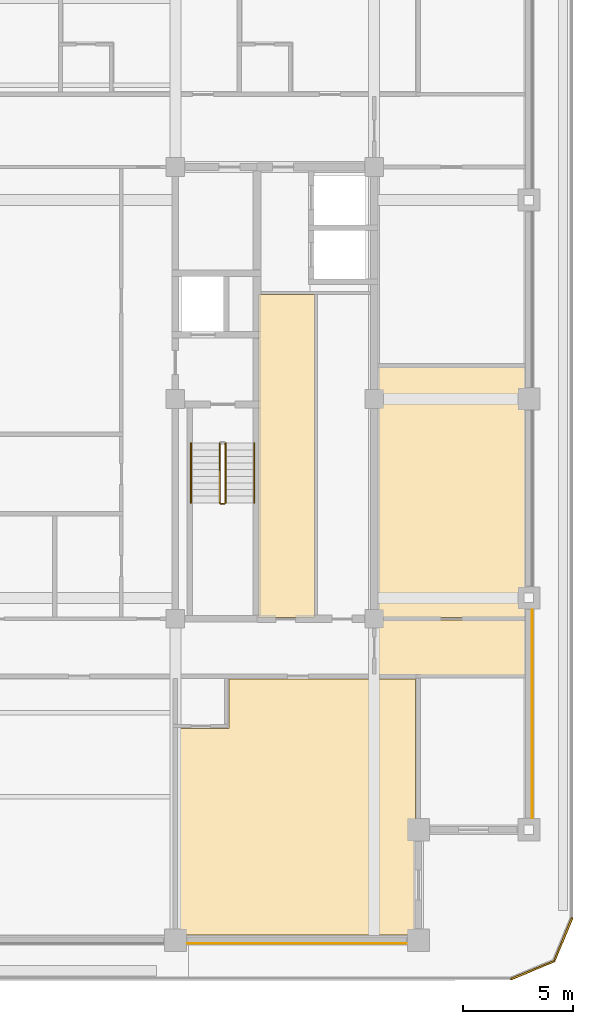
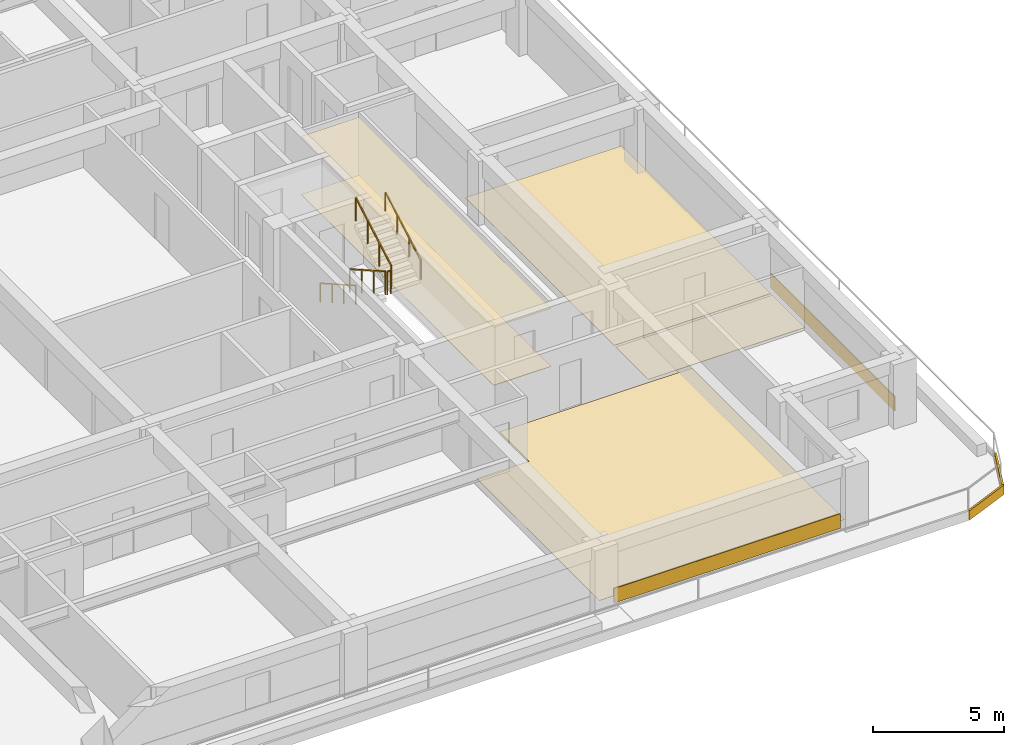
# One storey, part 11 of 13: 9 coverings, 5 railings.
"""IFC4 building model written with IfcOpenShell, lengths in metres."""

from ifc_helpers import new_model, si_unit, direction, frame, frame_2d, origin, origin_2d, place, context, subcontext, project, spatial, polyline, rectangle, outline, extrude, material, layer, layer_set, type_object, element, save


model = new_model("IFC4")

# Units and contexts
model_context = context("Model", 3, precision=1e-05, world=origin(), true_north=direction((0.0, 1.0)))
body_context = subcontext(model_context, "Body", "Model", "MODEL_VIEW")
ifc_project = project(units=[si_unit("LENGTHUNIT", "METRE"), si_unit("AREAUNIT", "SQUARE_METRE"), si_unit("VOLUMEUNIT", "CUBIC_METRE"), si_unit("PLANEANGLEUNIT", "RADIAN"), si_unit("MASSUNIT", "GRAM", prefix="KILO")], contexts=[model_context])

# Site, building, storey
site_placement = place(None, origin())
site = spatial("IfcSite", under=ifc_project, at=site_placement, CompositionType="ELEMENT")
building_placement = place(site_placement, origin())
building = spatial("IfcBuilding", under=site, at=building_placement, Name="Zulmaris Gate Convention Tower", CompositionType="ELEMENT")
storey_placement = place(building_placement, frame((0.0, 0.0, 183.059814453125)))
storey = spatial("IfcBuildingStorey", under=building, at=storey_placement, Name="L47", CompositionType="ELEMENT", Elevation=183.059814453125)

# Coverings
ifc_material_1 = material(Name="Precast concrete C40/50", Category="concrete")
ifc_layer_1 = layer(ifc_material_1, 0.0400390625, Name="Precast concrete C40/50")
ifc_layer_set_1 = layer_set([ifc_layer_1], Name="Precast concrete C40/50")
covering_type_1 = type_object("IfcCoveringType", Name="CLAD-SPANDREL-PRECAST", PredefinedType="CLADDING", material=ifc_layer_set_1)
covering_1_placement = place(storey_placement, frame((11.530029296875, -24.64990234375, 0.0), z_axis=(0.0, 0.0, 1.0), x_axis=(1.0, 0.0, 0.0)))
element("IfcCovering", 1, at=covering_1_placement, inside=storey, type_object=covering_type_1, Name="CLD-L47-S-3_0", PredefinedType="CLADDING", context=body_context, shape_type="SweptSolid", body=[
    extrude(rectangle(XDim=9.93994140625, YDim=0.0400390625, at=frame_2d((4.969970703125, 0.0))), origin(), (0.0, 0.0, 1.0), 0.679931640625),
])
covering_2_placement = place(storey_placement, frame((27.14990234375, -18.969970703125, 0.0), z_axis=(0.0, 0.0, 1.0), x_axis=(0.0, 1.0, 0.0)))
element("IfcCovering", 2, at=covering_2_placement, inside=storey, type_object=covering_type_1, Name="CLD-L47-E-0_0", PredefinedType="CLADDING", context=body_context, shape_type="SweptSolid", body=[
    extrude(rectangle(XDim=9.43994140625, YDim=0.0400390625, at=frame_2d((4.719970703125, 0.0))), origin(), (0.0, 0.0, 1.0), 0.679931640625),
])
ifc_material_2 = material(Name="White Glazed Architectural Precast Concrete C40/50", Category="concrete")
ifc_layer_2 = layer(ifc_material_2, 0.080078125, Name="White Glazed Architectural Precast Concrete C40/50")
ifc_layer_set_2 = layer_set([ifc_layer_2], Name="White Glazed Architectural Precast Concrete C40/50")
covering_type_2 = type_object("IfcCoveringType", Name="CLAD-TRAY-FASCIA", PredefinedType="CLADDING", material=ifc_layer_set_2)
covering_3_placement = place(storey_placement, frame((26.184814453125, -26.262939453125, -0.2900390625), z_axis=(0.0, 0.0, 1.0), x_axis=(0.923873803533, 0.382697263049, 0.0)))
element("IfcCovering", 3, at=covering_3_placement, inside=storey, type_object=covering_type_2, Name="FSC-L47-TR-03", PredefinedType="CLADDING", context=body_context, shape_type="SweptSolid", body=[
    extrude(rectangle(XDim=2.142822265625, YDim=0.080078125, at=frame_2d((1.0712890625, 0.0))), origin(), (0.0, 0.0, 1.0), 0.43994140625),
])
covering_4_placement = place(storey_placement, frame((28.142822265625, -25.464599609375, -0.2900390625), z_axis=(0.0, 0.0, 1.0), x_axis=(0.382656984709, 0.923890487046, 0.0)))
element("IfcCovering", 4, at=covering_4_placement, inside=storey, type_object=covering_type_2, Name="FSC-L47-TR-04", PredefinedType="CLADDING", context=body_context, shape_type="SweptSolid", body=[
    extrude(rectangle(XDim=2.14306640625, YDim=0.080078125, at=frame_2d((1.071533203125, 0.0))), origin(), (0.0, 0.0, 1.0), 0.43994140625),
])
ifc_material_3 = material(Name="Mineral Fibre Acoustic Ceiling Tile")
ifc_layer_3 = layer(ifc_material_3, 0.02001953125, Name="Mineral Fibre Acoustic Ceiling Tile")
ifc_layer_set_3 = layer_set([ifc_layer_3], Name="Mineral Fibre Acoustic Ceiling Tile")
covering_type_3 = type_object("IfcCoveringType", Name="CLG-ACOUSTIC-600", PredefinedType="CEILING", material=ifc_layer_set_3)
covering_5_placement = place(storey_placement, frame((0.0, 0.0, 2.695068359375)))
element("IfcCovering", 5, at=covering_5_placement, inside=storey, type_object=covering_type_3, Name="CLG-L47-R24", PredefinedType="CEILING", context=body_context, shape_type="SweptSolid", body=[
    extrude(outline(polyline([(14.760009765625, -9.889892578125), (17.2900390625, -9.889892578125), (17.2900390625, 4.739990234375), (14.760009765625, 4.739990234375), (14.760009765625, -9.889892578125)])), origin(), (0.0, 0.0, 1.0), 0.02001953125),
])
ifc_material_4 = material(Name="Woven Acoustic Wool Carpet Tile")
ifc_layer_4 = layer(ifc_material_4, 0.02001953125, Name="Woven Acoustic Wool Carpet Tile")
ifc_layer_set_4 = layer_set([ifc_layer_4], Name="Woven Acoustic Wool Carpet Tile")
covering_type_4 = type_object("IfcCoveringType", Name="FLR-CARPET-12", PredefinedType="FLOORING", material=ifc_layer_set_4)
covering_6_placement = place(storey_placement, origin())
element("IfcCovering", 6, at=covering_6_placement, inside=storey, type_object=covering_type_4, Name="FLR-L47-R24", PredefinedType="FLOORING", context=body_context, shape_type="SweptSolid", body=[
    extrude(outline(polyline([(14.760009765625, -9.889892578125), (17.2900390625, -9.889892578125), (17.2900390625, 4.739990234375), (14.760009765625, 4.739990234375), (14.760009765625, -9.889892578125)])), origin(), (0.0, 0.0, 1.0), 0.02001953125),
])
covering_7_placement = place(storey_placement, origin())
element("IfcCovering", 7, at=covering_7_placement, inside=storey, type_object=covering_type_4, Name="FLR-L47-R54", PredefinedType="FLOORING", context=body_context, shape_type="SweptSolid", body=[
    extrude(outline(polyline([(20.06005859375, -12.489990234375), (26.93994140625, -12.489990234375), (26.93994140625, -10.010009765625), (20.06005859375, -10.010009765625), (20.06005859375, -12.489990234375)])), origin(), (0.0, 0.0, 1.0), 0.02001953125),
])
covering_8_placement = place(storey_placement, origin())
element("IfcCovering", 8, at=covering_8_placement, inside=storey, type_object=covering_type_4, Name="FLR-L47-R56", PredefinedType="FLOORING", context=body_context, shape_type="SweptSolid", body=[
    extrude(outline(polyline([(20.06005859375, -9.889892578125), (26.93994140625, -9.889892578125), (26.93994140625, 1.43994140625), (20.06005859375, 1.43994140625), (20.06005859375, -9.889892578125)])), origin(), (0.0, 0.0, 1.0), 0.02001953125),
])
ifc_material_5 = material(Name="Engineered Teak Parquet Flooring")
ifc_layer_5 = layer(ifc_material_5, 0.02001953125, Name="Engineered Teak Parquet Flooring")
ifc_layer_set_5 = layer_set([ifc_layer_5], Name="Engineered Teak Parquet Flooring")
covering_type_5 = type_object("IfcCoveringType", Name="FLR-TIMBER-18", PredefinedType="FLOORING", material=ifc_layer_set_5)
covering_9_placement = place(storey_placement, origin())
element("IfcCovering", 9, at=covering_9_placement, inside=storey, type_object=covering_type_5, Name="FLR-L47-R46", PredefinedType="FLOORING", context=body_context, shape_type="SweptSolid", body=[
    extrude(outline(polyline([(11.1201171875, -24.260009765625), (21.8798828125, -24.260009765625), (21.8798828125, -12.669921875), (13.419921875, -12.669921875), (13.419921875, -14.919921875), (11.1201171875, -14.919921875), (11.1201171875, -24.260009765625)])), origin(), (0.0, 0.0, 1.0), 0.02001953125),
])

# Railings
ifc_material_6 = material(Name="Painted Galvanised Steel", Category="steel")
railing_type_1 = type_object("IfcRailingType", Name="RL-STG-1150", PredefinedType="GUARDRAIL", material=ifc_material_6)
railing_1_placement = place(storey_placement, frame((13.010009765625, -2.0, 0.169921875)))
element("IfcRailing", 10, at=railing_1_placement, inside=storey, type_object=railing_type_1, Name="L47 ST-2 stair guard 1", PredefinedType="GUARDRAIL", context=body_context, shape_type="SweptSolid", body=[
    extrude(rectangle(XDim=0.048095703125, YDim=0.048095703125, at=origin_2d()), frame((0.0, 0.0, 1.076171875), z_axis=(0.0, -0.869980566543, 0.493086010588), x_axis=(1.0, 0.0, 0.0)), (0.0, 0.0, 1.0), 3.103515625),
    extrude(rectangle(XDim=0.0419921875, YDim=0.0419921875, at=origin_2d()), origin(), (0.0, 0.0, 1.0), 1.052001953125),
    extrude(rectangle(XDim=0.0419921875, YDim=0.0419921875, at=origin_2d()), frame((0.0, -0.89990234375, 0.510009765625)), (0.0, 0.0, 1.0), 1.052001953125),
    extrude(rectangle(XDim=0.0419921875, YDim=0.0419921875, at=origin_2d()), frame((0.0, -1.800048828125, 1.020263671875)), (0.0, 0.0, 1.0), 1.052001953125),
    extrude(rectangle(XDim=0.0419921875, YDim=0.0419921875, at=origin_2d()), frame((0.0, -2.699951171875, 1.5302734375)), (0.0, 0.0, 1.0), 1.052001953125),
])
railing_2_placement = place(storey_placement, frame((13.06005859375, -4.75, 1.7001953125)))
element("IfcRailing", 11, at=railing_2_placement, inside=storey, type_object=railing_type_1, Name="L47 ST-2 stair guard 2", PredefinedType="GUARDRAIL", context=body_context, shape_type="SweptSolid", body=[
    extrude(rectangle(XDim=0.048095703125, YDim=0.048095703125, at=origin_2d()), frame((0.0, 0.0, 1.076171875), z_axis=(1.0, 0.0, 0.0), x_axis=(0.0, 1.0, 0.0)), (0.0, 0.0, 1.0), 0.159912109375),
    extrude(rectangle(XDim=0.0419921875, YDim=0.0419921875, at=origin_2d()), origin(), (0.0, 0.0, 1.0), 1.052001953125),
    extrude(rectangle(XDim=0.0419921875, YDim=0.0419921875, at=origin_2d()), frame((0.159912109375, 0.0, 0.0)), (0.0, 0.0, 1.0), 1.052001953125),
])
railing_3_placement = place(storey_placement, frame((13.27001953125, -4.699951171875, 1.8701171875)))
element("IfcRailing", 12, at=railing_3_placement, inside=storey, type_object=railing_type_1, Name="L47 ST-2 stair guard 3", PredefinedType="GUARDRAIL", context=body_context, shape_type="SweptSolid", body=[
    extrude(rectangle(XDim=0.048095703125, YDim=0.048095703125, at=origin_2d()), frame((0.0, 0.0, 1.076171875), z_axis=(0.0, 0.870014312096, 0.49302646658), x_axis=(-1.0, 0.0, 0.0)), (0.0, 0.0, 1.0), 3.103271484375),
    extrude(rectangle(XDim=0.0419921875, YDim=0.0419921875, at=origin_2d()), origin(), (0.0, 0.0, 1.0), 1.052001953125),
    extrude(rectangle(XDim=0.0419921875, YDim=0.0419921875, at=origin_2d()), frame((0.0, 0.89990234375, 0.510009765625)), (0.0, 0.0, 1.0), 1.052001953125),
    extrude(rectangle(XDim=0.0419921875, YDim=0.0419921875, at=origin_2d()), frame((0.0, 1.800048828125, 1.02001953125)), (0.0, 0.0, 1.0), 1.052001953125),
    extrude(rectangle(XDim=0.0419921875, YDim=0.0419921875, at=origin_2d()), frame((0.0, 2.699951171875, 1.530029296875)), (0.0, 0.0, 1.0), 1.052001953125),
])
ifc_material_7 = material(Name="Brushed Stainless Steel", Category="steel")
railing_type_2 = type_object("IfcRailingType", Name="RL-STH-900", PredefinedType="HANDRAIL", material=ifc_material_7)
railing_4_placement = place(storey_placement, frame((11.7099609375, -2.0, 0.169921875)))
element("IfcRailing", 13, at=railing_4_placement, inside=storey, type_object=railing_type_2, Name="L47 ST-2 stair handrail 1", PredefinedType="HANDRAIL", context=body_context, shape_type="SweptSolid", body=[
    extrude(rectangle(XDim=0.048095703125, YDim=0.048095703125, at=origin_2d()), frame((0.0, 0.0, 0.8759765625), z_axis=(0.0, -0.869980566543, 0.493086010588), x_axis=(1.0, 0.0, 0.0)), (0.0, 0.0, 1.0), 3.103515625),
    extrude(rectangle(XDim=0.0419921875, YDim=0.0419921875, at=origin_2d()), origin(), (0.0, 0.0, 1.0), 0.851806640625),
    extrude(rectangle(XDim=0.0419921875, YDim=0.0419921875, at=origin_2d()), frame((0.0, -0.89990234375, 0.510009765625)), (0.0, 0.0, 1.0), 0.851806640625),
    extrude(rectangle(XDim=0.0419921875, YDim=0.0419921875, at=origin_2d()), frame((0.0, -1.800048828125, 1.020263671875)), (0.0, 0.0, 1.0), 0.851806640625),
    extrude(rectangle(XDim=0.0419921875, YDim=0.0419921875, at=origin_2d()), frame((0.0, -2.699951171875, 1.5302734375)), (0.0, 0.0, 1.0), 0.851806640625),
])
railing_5_placement = place(storey_placement, frame((14.570068359375, -4.699951171875, 1.8701171875)))
element("IfcRailing", 14, at=railing_5_placement, inside=storey, type_object=railing_type_2, Name="L47 ST-2 stair handrail 2", PredefinedType="HANDRAIL", context=body_context, shape_type="SweptSolid", body=[
    extrude(rectangle(XDim=0.048095703125, YDim=0.048095703125, at=origin_2d()), frame((0.0, 0.0, 0.8759765625), z_axis=(0.0, 0.870014312096, 0.49302646658), x_axis=(-1.0, 0.0, 0.0)), (0.0, 0.0, 1.0), 3.103271484375),
    extrude(rectangle(XDim=0.0419921875, YDim=0.0419921875, at=origin_2d()), origin(), (0.0, 0.0, 1.0), 0.851806640625),
    extrude(rectangle(XDim=0.0419921875, YDim=0.0419921875, at=origin_2d()), frame((0.0, 0.89990234375, 0.510009765625)), (0.0, 0.0, 1.0), 0.851806640625),
    extrude(rectangle(XDim=0.0419921875, YDim=0.0419921875, at=origin_2d()), frame((0.0, 1.800048828125, 1.02001953125)), (0.0, 0.0, 1.0), 0.851806640625),
    extrude(rectangle(XDim=0.0419921875, YDim=0.0419921875, at=origin_2d()), frame((0.0, 2.699951171875, 1.530029296875)), (0.0, 0.0, 1.0), 0.851806640625),
])

save(model, "model.ifc")
